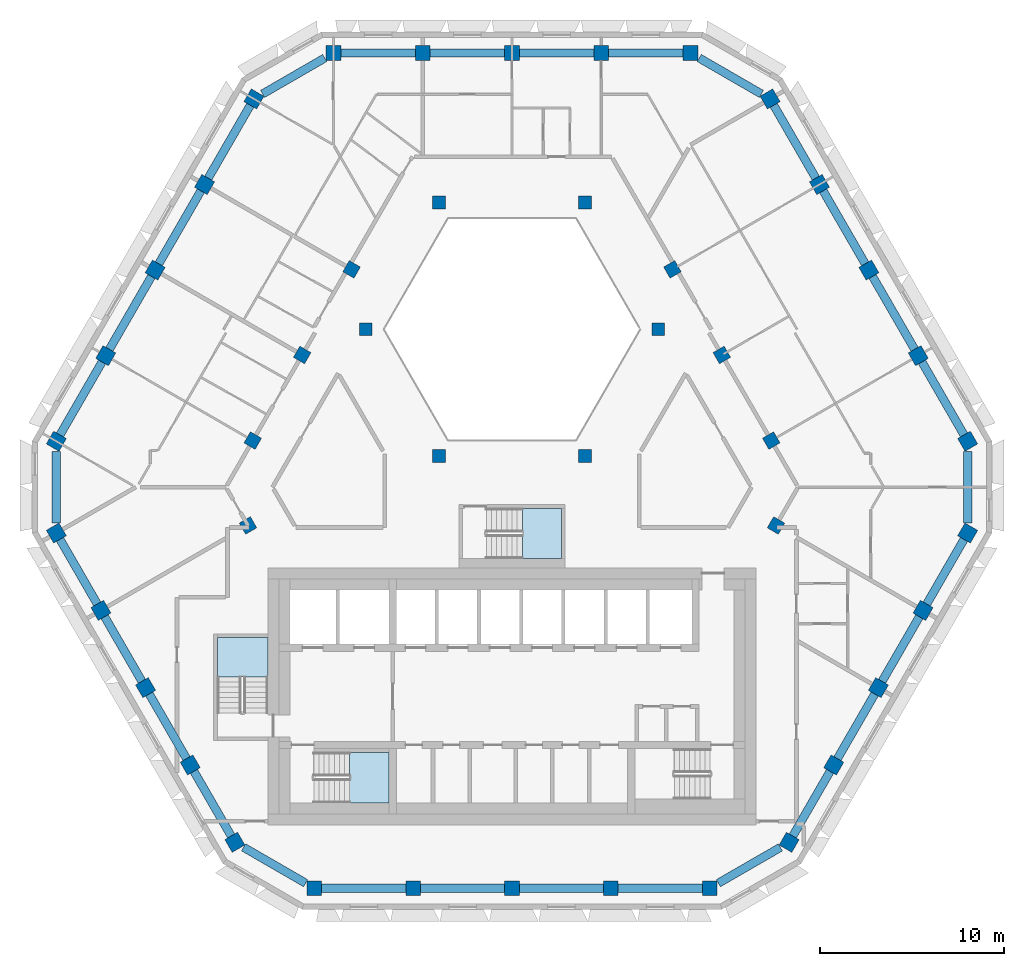
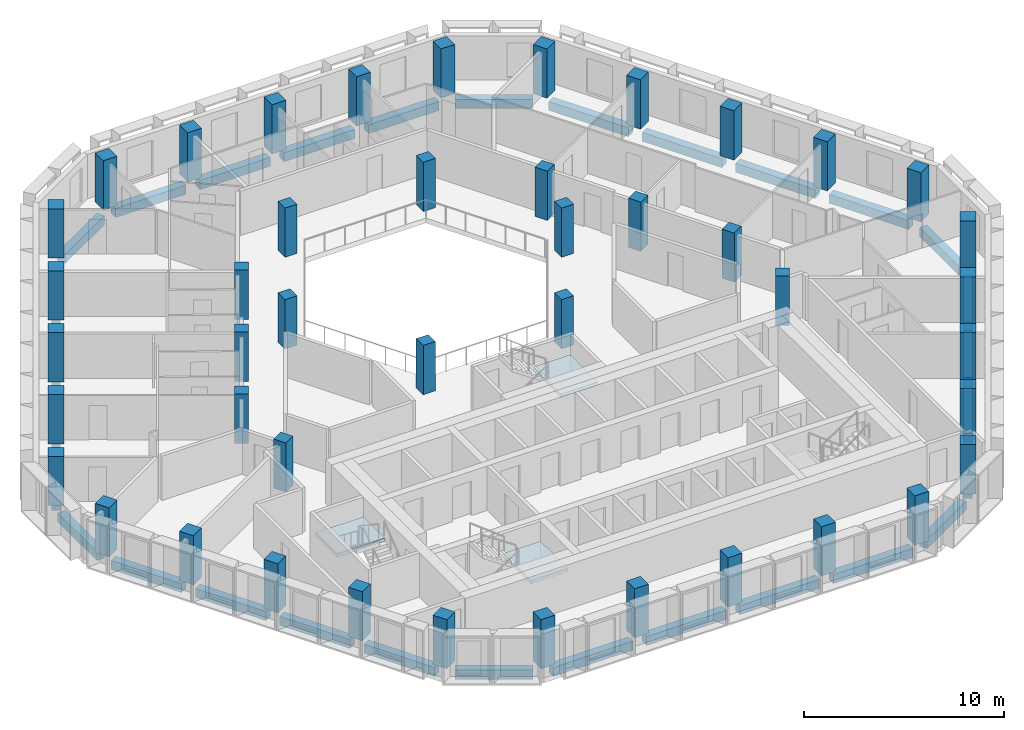
# One storey, part 1 of 15: 44 columns, 30 beams, 3 slabs, 3 elements without a shape of their own.
"""IFC4 building model written with IfcOpenShell, lengths in metres."""

from ifc_helpers import new_model, si_unit, direction, frame, origin, origin_2d, place, context, subcontext, project, spatial, polyline, rectangle, outline, extrude, material, layer, layer_set, material_profile, profile_set, type_object, element, aggregate, save


model = new_model("IFC4")

# Units and contexts
model_context = context("Model", 3, precision=1e-05, world=origin(), true_north=direction((0.0, 1.0)))
body_context = subcontext(model_context, "Body", "Model", "MODEL_VIEW")
ifc_project = project(units=[si_unit("LENGTHUNIT", "METRE"), si_unit("AREAUNIT", "SQUARE_METRE"), si_unit("VOLUMEUNIT", "CUBIC_METRE"), si_unit("PLANEANGLEUNIT", "RADIAN"), si_unit("MASSUNIT", "GRAM", prefix="KILO")], contexts=[model_context])

# Site, building, storey
site_placement = place(None, origin())
site = spatial("IfcSite", under=ifc_project, at=site_placement, CompositionType="ELEMENT")
building_placement = place(site_placement, origin())
building = spatial("IfcBuilding", under=site, at=building_placement, Name="Beryl Residences", CompositionType="ELEMENT")
storey_placement = place(building_placement, frame((0.0, 0.0, 169.199951171875)))
storey = spatial("IfcBuildingStorey", under=building, at=storey_placement, Name="L51", CompositionType="ELEMENT", Elevation=169.199951171875)

# Columns
ifc_material_1 = material(Name="Concrete C50/60", Category="concrete")
ifc_material_profile_1 = material_profile(ifc_material_1, rectangle(XDim=0.800048828125, YDim=0.800048828125, at=origin_2d()))
ifc_profile_set_1 = profile_set([ifc_material_profile_1], Name="Concrete C50/60")
column_type_1 = type_object("IfcColumnType", Name="C4 tube column 800 x 800 C50/60", PredefinedType="COLUMN", material=ifc_profile_set_1)
for number, where, z_axis, x_axis, name in (
    (1, (9.72802734375, 23.050048828125, 0.0), (0.0, 0.0, 1.0), (-1.0, 0.0, 0.0), "C4-N1 L51"),
    (2, (4.864013671875, 23.050048828125, 0.0), (0.0, 0.0, 1.0), (-1.0, 0.0, 0.0), "C4-N2 L51"),
    (3, (0.0, 23.050048828125, 0.0), (0.0, 0.0, 1.0), (-1.0, 0.0, 0.0), "C4-N3 L51"),
    (4, (-4.864013671875, 23.050048828125, 0.0), (0.0, 0.0, 1.0), (-1.0, 0.0, 0.0), "C4-N4 L51"),
    (5, (-9.72802734375, 23.050048828125, 0.0), (0.0, 0.0, 1.0), (-1.0, 0.0, 0.0), "C4-N5 L51"),
    (6, (-14.05810546875, 20.550048828125, 0.0), (0.0, 0.0, 1.0), (-0.5, -0.866025403784, 0.0), "C4-NW1 L51"),
    (7, (-16.75, 15.887939453125, 0.0), (0.0, 0.0, 1.0), (-0.5, -0.866025403784, 0.0), "C4-NW2 L51"),
    (8, (-19.44189453125, 11.22509765625, 0.0), (0.0, 0.0, 1.0), (-0.5, -0.866025403784, 0.0), "C4-NW3 L51"),
    (9, (-22.134033203125, 6.56201171875, 0.0), (0.0, 0.0, 1.0), (-0.5, -0.866025403784, 0.0), "C4-NW4 L51"),
    (10, (-24.825927734375, 1.89990234375, 0.0), (0.0, 0.0, 1.0), (-0.5, -0.866025403784, 0.0), "C4-NW5 L51"),
    (11, (-24.825927734375, -3.09912109375, 0.0), (0.0, 0.0, 1.0), (0.5, -0.866025403784, 0.0), "C4-SW1 L51"),
    (12, (-22.39404296875, -7.31201171875, 0.0), (0.0, 0.0, 1.0), (0.5, -0.866025403784, 0.0), "C4-SW2 L51"),
    (13, (-19.9619140625, -11.52392578125, 0.0), (0.0, 0.0, 1.0), (0.5, -0.866025403784, 0.0), "C4-SW3 L51"),
    (14, (-17.530029296875, -15.736083984375, 0.0), (0.0, 0.0, 1.0), (0.5, -0.866025403784, 0.0), "C4-SW4 L51"),
    (15, (-15.097900390625, -19.948974609375, 0.0), (0.0, 0.0, 1.0), (0.5, -0.866025403784, 0.0), "C4-SW5 L51"),
    (16, (-10.76708984375, -22.449951171875, 0.0), (0.0, 0.0, 1.0), (1.0, 0.0, 0.0), "C4-S1 L51"),
    (17, (-5.383056640625, -22.449951171875, 0.0), (0.0, 0.0, 1.0), (1.0, 0.0, 0.0), "C4-S2 L51"),
    (18, (0.0009765625, -22.449951171875, 0.0), (0.0, 0.0, 1.0), (1.0, 0.0, 0.0), "C4-S3 L51"),
    (19, (5.385009765625, -22.449951171875, 0.0), (0.0, 0.0, 1.0), (1.0, 0.0, 0.0), "C4-S4 L51"),
    (20, (10.76904296875, -22.449951171875, 0.0), (0.0, 0.0, 1.0), (1.0, 0.0, 0.0), "C4-S5 L51"),
    (21, (15.096923828125, -19.950927734375, 0.0), (0.0, 0.0, 1.0), (0.5, 0.866025403784, 0.0), "C4-SE1 L51"),
    (22, (17.529052734375, -15.738037109375, 0.0), (0.0, 0.0, 1.0), (0.5, 0.866025403784, 0.0), "C4-SE2 L51"),
    (23, (19.9609375, -11.52587890625, 0.0), (0.0, 0.0, 1.0), (0.5, 0.866025403784, 0.0), "C4-SE3 L51"),
    (24, (22.39306640625, -7.31396484375, 0.0), (0.0, 0.0, 1.0), (0.5, 0.866025403784, 0.0), "C4-SE4 L51"),
    (25, (24.824951171875, -3.10107421875, 0.0), (0.0, 0.0, 1.0), (0.5, 0.866025403784, 0.0), "C4-SE5 L51"),
    (26, (24.825927734375, 1.89990234375, 0.0), (0.0, 0.0, 1.0), (-0.5, 0.866025403784, 0.0), "C4-NE1 L51"),
    (27, (22.134033203125, 6.56201171875, 0.0), (0.0, 0.0, 1.0), (-0.5, 0.866025403784, 0.0), "C4-NE2 L51"),
    (28, (19.44189453125, 11.22509765625, 0.0), (0.0, 0.0, 1.0), (-0.5, 0.866025403784, 0.0), "C4-NE3 L51"),
    (29, (16.75, 15.887939453125, 0.0), (0.0, 0.0, 1.0), (-0.5, 0.866025403784, 0.0), "C4-NE4 L51"),
    (30, (14.05810546875, 20.550048828125, 0.0), (0.0, 0.0, 1.0), (-0.5, 0.866025403784, 0.0), "C4-NE5 L51"),
):
    element("IfcColumn", number, at=place(storey_placement, frame(where, z_axis=z_axis, x_axis=x_axis)), inside=storey, type_object=column_type_1, Name=name, PredefinedType="COLUMN", context=body_context, shape_type="SweptSolid", body=[
        extrude(rectangle(XDim=0.800048828125, YDim=0.800048828125, at=origin_2d()), origin(), (0.0, 0.0, 1.0), 3.0),
    ])
ifc_material_2 = material(Name="Concrete C50/60", Category="concrete")
ifc_material_profile_2 = material_profile(ifc_material_2, rectangle(XDim=0.699951171875, YDim=0.699951171875, at=origin_2d()))
ifc_profile_set_2 = profile_set([ifc_material_profile_2], Name="Concrete C50/60")
column_type_2 = type_object("IfcColumnType", Name="IC4 interior column 700 x 700 C50/60", PredefinedType="COLUMN", material=ifc_profile_set_2)
for number, where, z_axis, x_axis, name in (
    (31, (-14.383056640625, -2.68701171875, 0.0), (0.0, 0.0, 1.0), (0.5, -0.866025403784, 0.0), "IC4-M01 L51"),
    (32, (14.382080078125, -2.68896484375, 0.0), (0.0, 0.0, 1.0), (0.5, 0.866025403784, 0.0), "IC4-M02 L51"),
    (33, (14.123046875, 1.93701171875, 0.0), (0.0, 0.0, 1.0), (-0.5, 0.866025403784, 0.0), "IC4-M03 L51"),
    (34, (3.98388671875, 1.10009765625, 0.0), (0.0, 0.0, 1.0), (1.0, 0.0, 0.0), "IC4-A04 L51"),
    (35, (11.430908203125, 6.60009765625, 0.0), (0.0, 0.0, 1.0), (-0.5, 0.866025403784, 0.0), "IC4-M05 L51"),
    (36, (7.967041015625, 8.0, 0.0), (0.0, 0.0, 1.0), (1.0, 0.0, 0.0), "IC4-A06 L51"),
    (37, (8.739013671875, 11.262939453125, 0.0), (0.0, 0.0, 1.0), (-0.5, 0.866025403784, 0.0), "IC4-M07 L51"),
    (38, (3.98388671875, 14.89990234375, 0.0), (0.0, 0.0, 1.0), (1.0, 0.0, 0.0), "IC4-A08 L51"),
    (39, (-3.98388671875, 14.89990234375, 0.0), (0.0, 0.0, 1.0), (1.0, 0.0, 0.0), "IC4-A09 L51"),
    (40, (-8.739013671875, 11.262939453125, 0.0), (0.0, 0.0, 1.0), (-0.5, -0.866025403784, 0.0), "IC4-M10 L51"),
    (41, (-7.967041015625, 8.0, 0.0), (0.0, 0.0, 1.0), (1.0, 0.0, 0.0), "IC4-A11 L51"),
    (42, (-11.430908203125, 6.60009765625, 0.0), (0.0, 0.0, 1.0), (-0.5, -0.866025403784, 0.0), "IC4-M12 L51"),
    (43, (-3.98388671875, 1.10009765625, 0.0), (0.0, 0.0, 1.0), (1.0, 0.0, 0.0), "IC4-A13 L51"),
    (44, (-14.123046875, 1.93701171875, 0.0), (0.0, 0.0, 1.0), (-0.5, -0.866025403784, 0.0), "IC4-M14 L51"),
):
    element("IfcColumn", number, at=place(storey_placement, frame(where, z_axis=z_axis, x_axis=x_axis)), inside=storey, type_object=column_type_2, Name=name, PredefinedType="COLUMN", context=body_context, shape_type="SweptSolid", body=[
        extrude(rectangle(XDim=0.699951171875, YDim=0.699951171875, at=origin_2d()), origin(), (0.0, 0.0, 1.0), 3.0),
    ])

# Beams
ifc_material_3 = material(Name="Concrete C50/60", Category="concrete")
ifc_material_profile_3 = material_profile(ifc_material_3, rectangle(XDim=0.449951171875, YDim=0.550048828125, at=origin_2d()))
ifc_profile_set_3 = profile_set([ifc_material_profile_3], Name="Concrete C50/60")
beam_type = type_object("IfcBeamType", Name="SB4 spandrel beam 450 x 550 C50/60", PredefinedType="SPANDREL", material=ifc_profile_set_3)
beam_1_placement = place(storey_placement, frame((9.327880859375, 23.050048828125, -0.574951171875), z_axis=(-1.0, 0.0, 0.0), x_axis=(0.0, -1.0, 0.0)))
element("IfcBeam", 45, at=beam_1_placement, inside=storey, type_object=beam_type, Name="SB4 L51 N-0", PredefinedType="SPANDREL", context=body_context, shape_type="SweptSolid", body=[
    extrude(rectangle(XDim=0.449951171875, YDim=0.550048828125, at=origin_2d()), origin(), (0.0, 0.0, 1.0), 4.06396484375),
])
for number, where, z_axis, x_axis, name in (
    (46, (4.464111328125, 23.050048828125, -0.574951171875), (-1.0, 0.0, 0.0), (0.0, -1.0, 0.0), "SB4 L51 N-1"),
    (47, (-0.39990234375, 23.050048828125, -0.574951171875), (-1.0, 0.0, 0.0), (0.0, -1.0, 0.0), "SB4 L51 N-2"),
):
    element("IfcBeam", number, at=place(storey_placement, frame(where, z_axis=z_axis, x_axis=x_axis)), inside=storey, type_object=beam_type, Name=name, PredefinedType="SPANDREL", context=body_context, shape_type="SweptSolid", body=[
        extrude(rectangle(XDim=0.449951171875, YDim=0.550048828125, at=origin_2d()), origin(), (0.0, 0.0, 1.0), 4.064208984375),
    ])
beam_2_placement = place(storey_placement, frame((-5.263916015625, 23.050048828125, -0.574951171875), z_axis=(-1.0, 0.0, 0.0), x_axis=(0.0, -1.0, 0.0)))
element("IfcBeam", 48, at=beam_2_placement, inside=storey, type_object=beam_type, Name="SB4 L51 N-3", PredefinedType="SPANDREL", context=body_context, shape_type="SweptSolid", body=[
    extrude(rectangle(XDim=0.449951171875, YDim=0.550048828125, at=origin_2d()), origin(), (0.0, 0.0, 1.0), 4.06396484375),
])
beam_3_placement = place(storey_placement, frame((-10.200927734375, 22.777099609375, -0.574951171875), z_axis=(-0.865988935984, -0.500063158763, 0.0), x_axis=(0.500063158763, -0.865988935984, 0.0)))
element("IfcBeam", 49, at=beam_3_placement, inside=storey, type_object=beam_type, Name="SB4 L51 N-4", PredefinedType="SPANDREL", context=body_context, shape_type="SweptSolid", body=[
    extrude(rectangle(XDim=0.449951171875, YDim=0.550048828125, at=origin_2d()), origin(), (0.0, 0.0, 1.0), 3.90771484375),
])
beam_4_placement = place(storey_placement, frame((-14.258056640625, 20.2041015625, -0.574951171875), z_axis=(-0.499965247104, -0.866045467449, 0.0), x_axis=(0.866045467449, -0.499965247104, 0.0)))
element("IfcBeam", 50, at=beam_4_placement, inside=storey, type_object=beam_type, Name="SB4 L51 NW-0", PredefinedType="SPANDREL", context=body_context, shape_type="SweptSolid", body=[
    extrude(rectangle(XDim=0.449951171875, YDim=0.550048828125, at=origin_2d()), origin(), (0.0, 0.0, 1.0), 4.584228515625),
])
for number, where, z_axis, x_axis, name in (
    (51, (-16.949951171875, 15.5419921875, -0.574951171875), (-0.499896077001, -0.866085395443, 0.0), (0.866085395443, -0.499896077001, 0.0), "SB4 L51 NW-1"),
    (52, (-19.64208984375, 10.87890625, -0.574951171875), (-0.499896077001, -0.866085395443, 0.0), (0.866085395443, -0.499896077001, 0.0), "SB4 L51 NW-2"),
):
    element("IfcBeam", number, at=place(storey_placement, frame(where, z_axis=z_axis, x_axis=x_axis)), inside=storey, type_object=beam_type, Name=name, PredefinedType="SPANDREL", context=body_context, shape_type="SweptSolid", body=[
        extrude(rectangle(XDim=0.449951171875, YDim=0.550048828125, at=origin_2d()), origin(), (0.0, 0.0, 1.0), 4.5849609375),
    ])
beam_5_placement = place(storey_placement, frame((-22.333984375, 6.216064453125, -0.574951171875), z_axis=(-0.49998830735, -0.866032154434, 0.0), x_axis=(0.866032154434, -0.49998830735, 0.0)))
element("IfcBeam", 53, at=beam_5_placement, inside=storey, type_object=beam_type, Name="SB4 L51 NW-3", PredefinedType="SPANDREL", context=body_context, shape_type="SweptSolid", body=[
    extrude(rectangle(XDim=0.449951171875, YDim=0.550048828125, at=origin_2d()), origin(), (0.0, 0.0, 1.0), 4.583984375),
])
beam_6_placement = place(storey_placement, frame((-24.825927734375, 1.35400390625, -0.574951171875), z_axis=(0.0, -1.0, 0.0), x_axis=(1.0, 0.0, 0.0)))
element("IfcBeam", 54, at=beam_6_placement, inside=storey, type_object=beam_type, Name="SB4 L51 NW-4", PredefinedType="SPANDREL", context=body_context, shape_type="SweptSolid", body=[
    extrude(rectangle(XDim=0.449951171875, YDim=0.550048828125, at=origin_2d()), origin(), (0.0, 0.0, 1.0), 3.906982421875),
])
beam_7_placement = place(storey_placement, frame((-24.6259765625, -3.445068359375, -0.574951171875), z_axis=(0.499840293234, -0.866117590896, 0.0), x_axis=(0.866117590896, 0.499840293234, 0.0)))
element("IfcBeam", 55, at=beam_7_placement, inside=storey, type_object=beam_type, Name="SB4 L51 SW-0", PredefinedType="SPANDREL", context=body_context, shape_type="SweptSolid", body=[
    extrude(rectangle(XDim=0.449951171875, YDim=0.550048828125, at=origin_2d()), origin(), (0.0, 0.0, 1.0), 4.065185546875),
])
beam_8_placement = place(storey_placement, frame((-22.194091796875, -7.657958984375, -0.574951171875), z_axis=(0.499944307952, -0.866057555216, 0.0), x_axis=(0.866057555216, 0.499944307952, 0.0)))
element("IfcBeam", 56, at=beam_8_placement, inside=storey, type_object=beam_type, Name="SB4 L51 SW-1", PredefinedType="SPANDREL", context=body_context, shape_type="SweptSolid", body=[
    extrude(rectangle(XDim=0.449951171875, YDim=0.550048828125, at=origin_2d()), origin(), (0.0, 0.0, 1.0), 4.064453125),
])
beam_9_placement = place(storey_placement, frame((-19.761962890625, -11.8701171875, -0.574951171875), z_axis=(0.499970317269, -0.866042540439, 0.0), x_axis=(0.866042540439, 0.499970317269, 0.0)))
element("IfcBeam", 57, at=beam_9_placement, inside=storey, type_object=beam_type, Name="SB4 L51 SW-2", PredefinedType="SPANDREL", context=body_context, shape_type="SweptSolid", body=[
    extrude(rectangle(XDim=0.449951171875, YDim=0.550048828125, at=origin_2d()), origin(), (0.0, 0.0, 1.0), 4.064208984375),
])
beam_10_placement = place(storey_placement, frame((-17.330078125, -16.08203125, -0.574951171875), z_axis=(0.499840293234, -0.866117590896, 0.0), x_axis=(0.866117590896, 0.499840293234, 0.0)))
element("IfcBeam", 58, at=beam_10_placement, inside=storey, type_object=beam_type, Name="SB4 L51 SW-3", PredefinedType="SPANDREL", context=body_context, shape_type="SweptSolid", body=[
    extrude(rectangle(XDim=0.449951171875, YDim=0.550048828125, at=origin_2d()), origin(), (0.0, 0.0, 1.0), 4.065185546875),
])
beam_11_placement = place(storey_placement, frame((-14.625, -20.221923828125, -0.574951171875), z_axis=(0.865943218558, -0.500142321977, 0.0), x_axis=(0.500142321977, 0.865943218558, 0.0)))
element("IfcBeam", 59, at=beam_11_placement, inside=storey, type_object=beam_type, Name="SB4 L51 SW-4", PredefinedType="SPANDREL", context=body_context, shape_type="SweptSolid", body=[
    extrude(rectangle(XDim=0.449951171875, YDim=0.550048828125, at=origin_2d()), origin(), (0.0, 0.0, 1.0), 3.908935546875),
])
for number, where, z_axis, x_axis, name in (
    (60, (-10.366943359375, -22.449951171875, -0.574951171875), (1.0, 0.0, 0.0), (0.0, 1.0, 0.0), "SB4 L51 S-0"),
    (61, (-4.98291015625, -22.449951171875, -0.574951171875), (1.0, 0.0, 0.0), (0.0, 1.0, 0.0), "SB4 L51 S-1"),
):
    element("IfcBeam", number, at=place(storey_placement, frame(where, z_axis=z_axis, x_axis=x_axis)), inside=storey, type_object=beam_type, Name=name, PredefinedType="SPANDREL", context=body_context, shape_type="SweptSolid", body=[
        extrude(rectangle(XDim=0.449951171875, YDim=0.550048828125, at=origin_2d()), origin(), (0.0, 0.0, 1.0), 4.583984375),
    ])
beam_12_placement = place(storey_placement, frame((0.40087890625, -22.449951171875, -0.574951171875), z_axis=(1.0, 0.0, 0.0), x_axis=(0.0, 1.0, 0.0)))
element("IfcBeam", 62, at=beam_12_placement, inside=storey, type_object=beam_type, Name="SB4 L51 S-2", PredefinedType="SPANDREL", context=body_context, shape_type="SweptSolid", body=[
    extrude(rectangle(XDim=0.449951171875, YDim=0.550048828125, at=origin_2d()), origin(), (0.0, 0.0, 1.0), 4.584228515625),
])
beam_13_placement = place(storey_placement, frame((5.784912109375, -22.449951171875, -0.574951171875), z_axis=(1.0, 0.0, 0.0), x_axis=(0.0, 1.0, 0.0)))
element("IfcBeam", 63, at=beam_13_placement, inside=storey, type_object=beam_type, Name="SB4 L51 S-3", PredefinedType="SPANDREL", context=body_context, shape_type="SweptSolid", body=[
    extrude(rectangle(XDim=0.449951171875, YDim=0.550048828125, at=origin_2d()), origin(), (0.0, 0.0, 1.0), 4.583984375),
])
beam_14_placement = place(storey_placement, frame((11.241943359375, -22.177001953125, -0.574951171875), z_axis=(0.865999234303, 0.500045324131, 0.0), x_axis=(-0.500045324131, 0.865999234303, 0.0)))
element("IfcBeam", 64, at=beam_14_placement, inside=storey, type_object=beam_type, Name="SB4 L51 S-4", PredefinedType="SPANDREL", context=body_context, shape_type="SweptSolid", body=[
    extrude(rectangle(XDim=0.449951171875, YDim=0.550048828125, at=origin_2d()), origin(), (0.0, 0.0, 1.0), 3.905517578125),
])
beam_15_placement = place(storey_placement, frame((15.297119140625, -19.60498046875, -0.574951171875), z_axis=(0.499840293234, 0.866117590896, 0.0), x_axis=(-0.866117590896, 0.499840293234, 0.0)))
element("IfcBeam", 65, at=beam_15_placement, inside=storey, type_object=beam_type, Name="SB4 L51 SE-0", PredefinedType="SPANDREL", context=body_context, shape_type="SweptSolid", body=[
    extrude(rectangle(XDim=0.449951171875, YDim=0.550048828125, at=origin_2d()), origin(), (0.0, 0.0, 1.0), 4.065185546875),
])
for number, where, z_axis, x_axis, name in (
    (66, (17.72900390625, -15.39208984375, -0.574951171875), (0.499944307952, 0.866057555216, 0.0), (-0.866057555216, 0.499944307952, 0.0), "SB4 L51 SE-1"),
    (67, (20.160888671875, -11.179931640625, -0.574951171875), (0.499989360119, 0.866031546636, 0.0), (-0.866031546636, 0.499989360119, 0.0), "SB4 L51 SE-2"),
):
    element("IfcBeam", number, at=place(storey_placement, frame(where, z_axis=z_axis, x_axis=x_axis)), inside=storey, type_object=beam_type, Name=name, PredefinedType="SPANDREL", context=body_context, shape_type="SweptSolid", body=[
        extrude(rectangle(XDim=0.449951171875, YDim=0.550048828125, at=origin_2d()), origin(), (0.0, 0.0, 1.0), 4.064453125),
    ])
beam_16_placement = place(storey_placement, frame((22.593017578125, -6.968017578125, -0.574951171875), z_axis=(0.499840293234, 0.866117590896, 0.0), x_axis=(-0.866117590896, 0.499840293234, 0.0)))
element("IfcBeam", 68, at=beam_16_placement, inside=storey, type_object=beam_type, Name="SB4 L51 SE-3", PredefinedType="SPANDREL", context=body_context, shape_type="SweptSolid", body=[
    extrude(rectangle(XDim=0.449951171875, YDim=0.550048828125, at=origin_2d()), origin(), (0.0, 0.0, 1.0), 4.065185546875),
])
beam_17_placement = place(storey_placement, frame((24.824951171875, -2.554931640625, -0.574951171875), z_axis=(0.000249828235, 0.999999968793, 0.0), x_axis=(-0.999999968793, 0.000249828235, 0.0)))
element("IfcBeam", 69, at=beam_17_placement, inside=storey, type_object=beam_type, Name="SB4 L51 SE-4", PredefinedType="SPANDREL", context=body_context, shape_type="SweptSolid", body=[
    extrude(rectangle(XDim=0.449951171875, YDim=0.550048828125, at=origin_2d()), origin(), (0.0, 0.0, 1.0), 3.908935546875),
])
beam_18_placement = place(storey_placement, frame((24.6259765625, 2.24609375, -0.574951171875), z_axis=(-0.49998830735, 0.866032154434, 0.0), x_axis=(-0.866032154434, -0.49998830735, 0.0)))
element("IfcBeam", 70, at=beam_18_placement, inside=storey, type_object=beam_type, Name="SB4 L51 NE-0", PredefinedType="SPANDREL", context=body_context, shape_type="SweptSolid", body=[
    extrude(rectangle(XDim=0.449951171875, YDim=0.550048828125, at=origin_2d()), origin(), (0.0, 0.0, 1.0), 4.583984375),
])
for number, where, z_axis, x_axis, name in (
    (71, (21.93408203125, 6.907958984375, -0.574951171875), (-0.499896077001, 0.866085395443, 0.0), (-0.866085395443, -0.499896077001, 0.0), "SB4 L51 NE-1"),
    (72, (19.241943359375, 11.571044921875, -0.574951171875), (-0.499896077001, 0.866085395443, 0.0), (-0.866085395443, -0.499896077001, 0.0), "SB4 L51 NE-2"),
):
    element("IfcBeam", number, at=place(storey_placement, frame(where, z_axis=z_axis, x_axis=x_axis)), inside=storey, type_object=beam_type, Name=name, PredefinedType="SPANDREL", context=body_context, shape_type="SweptSolid", body=[
        extrude(rectangle(XDim=0.449951171875, YDim=0.550048828125, at=origin_2d()), origin(), (0.0, 0.0, 1.0), 4.5849609375),
    ])
beam_19_placement = place(storey_placement, frame((16.550048828125, 16.23388671875, -0.574951171875), z_axis=(-0.499965247104, 0.866045467449, 0.0), x_axis=(-0.866045467449, -0.499965247104, 0.0)))
element("IfcBeam", 73, at=beam_19_placement, inside=storey, type_object=beam_type, Name="SB4 L51 NE-3", PredefinedType="SPANDREL", context=body_context, shape_type="SweptSolid", body=[
    extrude(rectangle(XDim=0.449951171875, YDim=0.550048828125, at=origin_2d()), origin(), (0.0, 0.0, 1.0), 4.584228515625),
])
beam_20_placement = place(storey_placement, frame((13.5849609375, 20.822998046875, -0.574951171875), z_axis=(-0.865988935984, 0.500063158763, 0.0), x_axis=(-0.500063158763, -0.865988935984, 0.0)))
element("IfcBeam", 74, at=beam_20_placement, inside=storey, type_object=beam_type, Name="SB4 L51 NE-4", PredefinedType="SPANDREL", context=body_context, shape_type="SweptSolid", body=[
    extrude(rectangle(XDim=0.449951171875, YDim=0.550048828125, at=origin_2d()), origin(), (0.0, 0.0, 1.0), 3.90771484375),
])

# Stair, slab
ifc_material_4 = material(Name="Concrete C40/50", Category="concrete")
stair_type = type_object("IfcStairType", Name="ST1 protected exit stair, half-turn, 1300 mm flights", PredefinedType="HALF_TURN_STAIR", material=ifc_material_4)
stair_1_placement = place(storey_placement, origin())
stair_1 = element("IfcStair", 75, at=stair_1_placement, inside=storey, type_object=stair_type, Name="L51 PROTECTED EXIT STAIR ST-1", PredefinedType="HALF_TURN_STAIR")
ifc_material_5 = material(Name="Concrete C40/50", Category="concrete")
ifc_layer = layer(ifc_material_5, 0.199951171875)
ifc_layer_set = layer_set([ifc_layer], Name="SLD1 stair landing 200 mm")
slab_type = type_object("IfcSlabType", Name="SLD1 stair landing 200 mm", PredefinedType="LANDING", material=ifc_layer_set)
slab_1_placement = place(storey_placement, frame((0.0, 0.0, 1.300048828125)))
slab_1 = element("IfcSlab", 76, at=slab_1_placement, type_object=slab_type, Name="ST-1 landing 1", PredefinedType="LANDING", context=body_context, shape_type="SweptSolid", body=[
    extrude(outline(polyline([(-8.840087890625, -17.800048828125), (-6.699951171875, -17.800048828125), (-6.699951171875, -15.050048828125), (-8.840087890625, -15.050048828125), (-8.840087890625, -17.800048828125)])), origin(), (0.0, 0.0, 1.0), 0.199951171875),
])
aggregate(stair_1, [slab_1])

stair_2_placement = place(storey_placement, origin())
stair_2 = element("IfcStair", 77, at=stair_2_placement, inside=storey, type_object=stair_type, Name="L51 PROTECTED EXIT STAIR ST-2", PredefinedType="HALF_TURN_STAIR")
slab_2_placement = place(storey_placement, frame((0.0, 0.0, 1.300048828125)))
slab_2 = element("IfcSlab", 78, at=slab_2_placement, type_object=slab_type, Name="ST-2 landing 1", PredefinedType="LANDING", context=body_context, shape_type="SweptSolid", body=[
    extrude(outline(polyline([(-13.300048828125, -10.93994140625), (-13.300048828125, -8.800048828125), (-16.050048828125, -8.800048828125), (-16.050048828125, -10.93994140625), (-13.300048828125, -10.93994140625)])), origin(), (0.0, 0.0, 1.0), 0.199951171875),
])
aggregate(stair_2, [slab_2])

stair_3_placement = place(storey_placement, origin())
stair_3 = element("IfcStair", 79, at=stair_3_placement, inside=storey, type_object=stair_type, Name="L51 PROTECTED EXIT STAIR ST-4", PredefinedType="HALF_TURN_STAIR")
slab_3_placement = place(storey_placement, frame((0.0, 0.0, 1.300048828125)))
slab_3 = element("IfcSlab", 80, at=slab_3_placement, type_object=slab_type, Name="ST-4 landing 1", PredefinedType="LANDING", context=body_context, shape_type="SweptSolid", body=[
    extrude(outline(polyline([(0.56005859375, -4.5), (2.699951171875, -4.5), (2.699951171875, -1.75), (0.56005859375, -1.75), (0.56005859375, -4.5)])), origin(), (0.0, 0.0, 1.0), 0.199951171875),
])
aggregate(stair_3, [slab_3])

save(model, "model.ifc")
